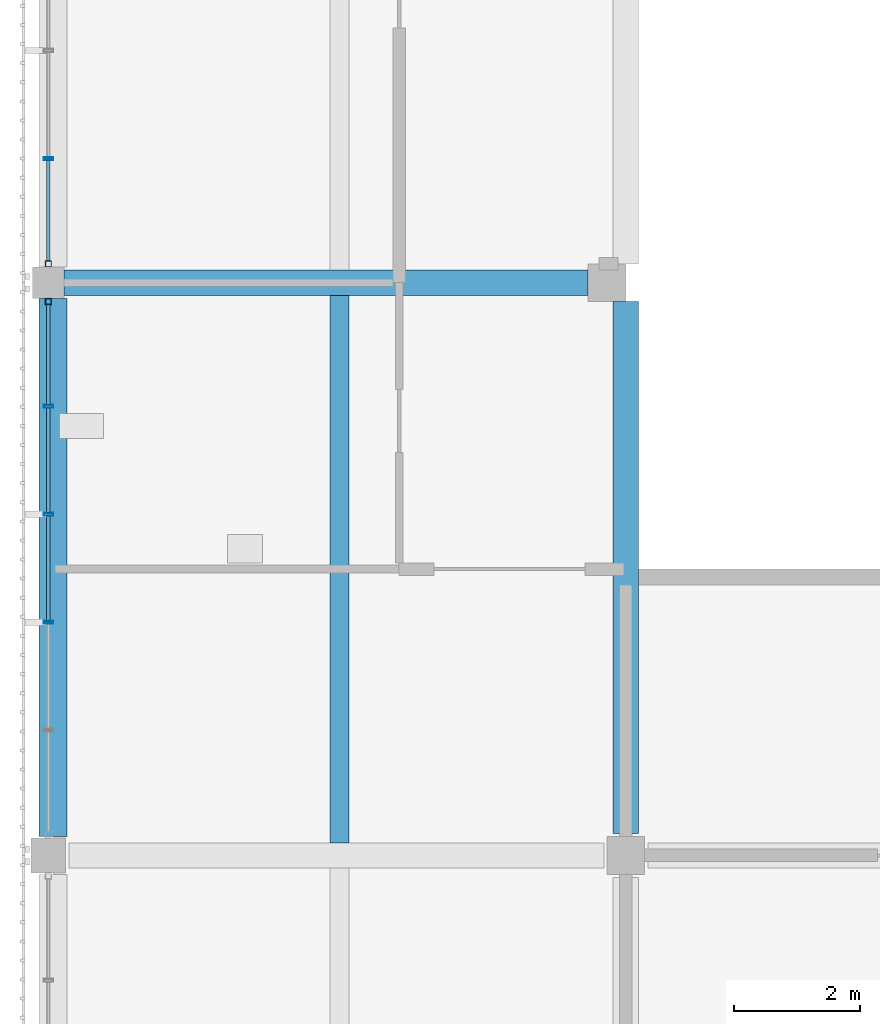
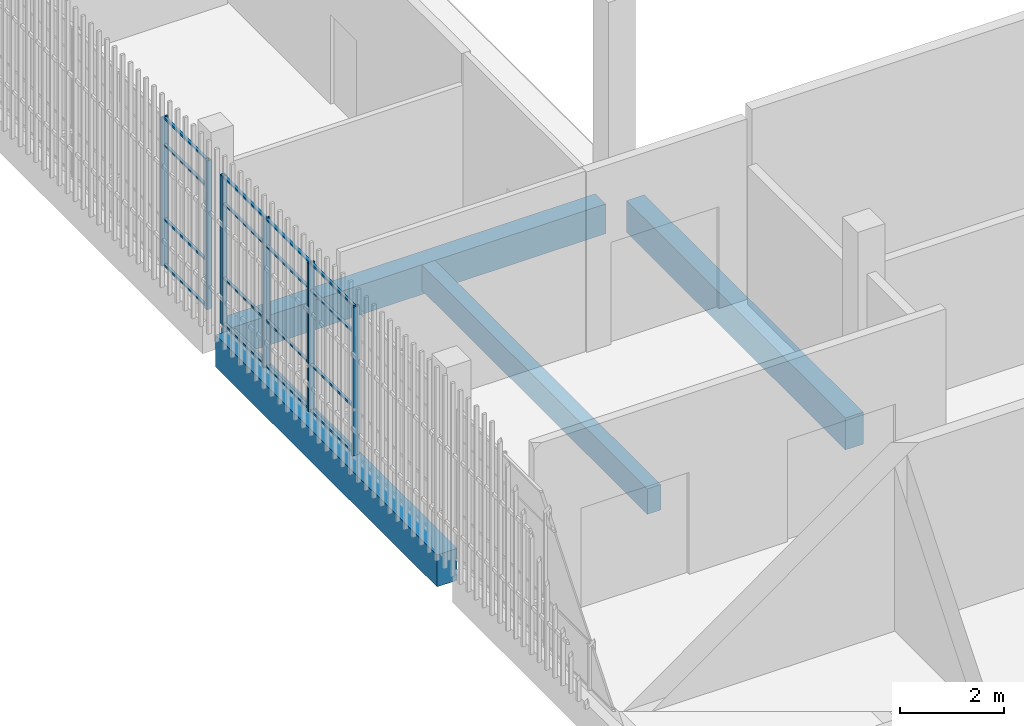
# One storey, part 16 of 124: 22 members, 4 beams, 2 elements without a shape of their own.
"""IFC4 building model written with IfcOpenShell, lengths in metres."""

import ifcopenshell
import ifcopenshell.guid

model = None  # the IFC model being written
_history = None  # IfcOwnerHistory: only IFC2X3 demands one
_inside = {}  # id of a spatial element -> (the spatial element, [elements in it])
_under = {}  # id of a project, library or spatial element -> (it, [spatial elements below it])
_declared = {}  # id of a project -> (the project, [libraries it declares])
_typed = {}  # id of a type object -> (the type object, [elements of that type])
_made_of = {}  # id of a material, layer set ... -> (it, [elements and type objects made of it])


def new_model(schema):
    """Start an empty IFC model of exactly this schema.

    Asked for "IFC4X3", IfcOpenShell would pick the latest addendum, in which some entities
    have other attributes; the version numbers below select the first issue.
    IFC2X3 requires an IfcOwnerHistory on every rooted entity: one is made here for all.
    """
    global model, _history
    if schema == "IFC4X3":
        model = ifcopenshell.file(schema_version=(4, 3, 0, 0))
    else:
        model = ifcopenshell.file(schema=schema)
    _inside.clear()
    _under.clear()
    _declared.clear()
    _typed.clear()
    _made_of.clear()
    _history = None
    if model.schema == "IFC2X3":
        org = make("IfcOrganization", Name="unknown")
        user = make(
            "IfcPersonAndOrganization",
            ThePerson=make("IfcPerson", FamilyName="unknown"),
            TheOrganization=org,
        )
        app = make(
            "IfcApplication",
            ApplicationDeveloper=org,
            Version="unknown",
            ApplicationFullName="unknown",
            ApplicationIdentifier="unknown",
        )
        _history = make(
            "IfcOwnerHistory",
            OwningUser=user,
            OwningApplication=app,
            ChangeAction="ADDED",
            CreationDate=0,
        )
    return model


def make(cls, **values):
    """One entity of the class cls with the attributes given. An attribute that is None is left unset."""
    return model.create_entity(
        cls, **{name: value for name, value in values.items() if value is not None}
    )


def rooted(cls, **values):
    """An entity with a GlobalId (a new one), such as an element, a storey or a relation."""
    return make(cls, GlobalId=ifcopenshell.guid.new(), OwnerHistory=_history, **values)


def si_unit(unit_type, name, prefix=None):
    """IfcSIUnit, for example si_unit("LENGTHUNIT", "METRE", prefix="MILLI")."""
    return make("IfcSIUnit", UnitType=unit_type, Prefix=prefix, Name=name)


def assignment(units):
    """IfcUnitAssignment: the units of a project."""
    return None if units is None else make("IfcUnitAssignment", Units=units)


def point(xyz):
    """IfcCartesianPoint."""
    return None if xyz is None else make("IfcCartesianPoint", Coordinates=xyz)


def direction(xyz):
    """IfcDirection."""
    return None if xyz is None else make("IfcDirection", DirectionRatios=xyz)


def frame(location, z_axis=None, x_axis=None):
    """IfcAxis2Placement3D, a coordinate frame: its origin and axes. An axis left out is left unset."""
    return make(
        "IfcAxis2Placement3D",
        Location=point(location),
        Axis=direction(z_axis),
        RefDirection=direction(x_axis),
    )


def frame_2d(location, x_axis=None):
    """IfcAxis2Placement2D, a coordinate frame in the plane: its origin and x axis."""
    return make(
        "IfcAxis2Placement2D", Location=point(location), RefDirection=direction(x_axis)
    )


def origin():
    """The frame at (0, 0, 0) with its axes left unset."""
    return frame((0.0, 0.0, 0.0))


def origin_2d():
    """The frame at (0, 0) in the plane with its x axis left unset."""
    return frame_2d((0.0, 0.0))


def place(relative_to, where):
    """IfcLocalPlacement: puts the frame where relative to a parent placement (None: the world)."""
    return make(
        "IfcLocalPlacement", PlacementRelTo=relative_to, RelativePlacement=where
    )


def context(
    kind, dimensions, precision=None, world=None, true_north=None, identifier=None
):
    """IfcGeometricRepresentationContext, for example the 3D "Model" context."""
    return make(
        "IfcGeometricRepresentationContext",
        ContextIdentifier=identifier,
        ContextType=kind,
        CoordinateSpaceDimension=dimensions,
        Precision=precision,
        WorldCoordinateSystem=world,
        TrueNorth=true_north,
    )


def subcontext(parent, identifier, kind, view, scale=None):
    """IfcGeometricRepresentationSubContext, for example "Body" below "Model"."""
    return make(
        "IfcGeometricRepresentationSubContext",
        ContextIdentifier=identifier,
        ContextType=kind,
        ParentContext=parent,
        TargetScale=scale,
        TargetView=view,
    )


def project(units=None, contexts=None):
    """IfcProject with its units and contexts."""
    return rooted(
        "IfcProject",
        Name="project",
        RepresentationContexts=contexts,
        UnitsInContext=assignment(units),
    )


def spatial(cls, under=None, at=None, **own):
    """A site, building, storey or space (cls), placed at a placement, below another one or the project."""
    s = rooted(cls, ObjectPlacement=at, **own)
    if under is not None:
        _under.setdefault(under.id(), (under, []))[1].append(s)
    return s


def profile(cls, at=None, kind="AREA", **sizes):
    """A parametric profile (cls). Its sizes go by their IFC names, for example OverallWidth=200.0."""
    return make(cls, ProfileType=kind, Position=at, **sizes)


def rectangle(**sizes):
    """IfcRectangleProfileDef."""
    return profile("IfcRectangleProfileDef", **sizes)


def hollow_rectangle(**sizes):
    """IfcRectangleHollowProfileDef."""
    return profile("IfcRectangleHollowProfileDef", **sizes)


def extrude(swept, where, along, depth):
    """IfcExtrudedAreaSolid: the profile swept, set in the frame where, extruded along a direction by depth."""
    return make(
        "IfcExtrudedAreaSolid",
        SweptArea=swept,
        Position=where,
        ExtrudedDirection=direction(along),
        Depth=depth,
    )


def shape(context_of_items, identifier, shape_type, items):
    """IfcShapeRepresentation: the items that make up one representation, for example the "Body"."""
    return make(
        "IfcShapeRepresentation",
        ContextOfItems=context_of_items,
        RepresentationIdentifier=identifier,
        RepresentationType=shape_type,
        Items=items,
    )


def material(Name=None, Category=None):
    """IfcMaterial."""
    return make("IfcMaterial", Name=Name, Category=Category)


def layer(
    of_material, thickness, ventilated=None, Name=None, Category=None, Priority=None
):
    """IfcMaterialLayer: one layer of a wall or slab, of a material (None: an air gap)."""
    return make(
        "IfcMaterialLayer",
        Material=of_material,
        LayerThickness=thickness,
        IsVentilated=ventilated,
        Name=Name,
        Category=Category,
        Priority=Priority,
    )


def layer_set(layers, Name=None):
    """IfcMaterialLayerSet."""
    return make("IfcMaterialLayerSet", MaterialLayers=layers, LayerSetName=Name)


def material_profile(
    of_material, cross_section, Name=None, Category=None, Priority=None
):
    """IfcMaterialProfile: a cross section and its material."""
    return make(
        "IfcMaterialProfile",
        Name=Name,
        Material=of_material,
        Profile=cross_section,
        Priority=Priority,
        Category=Category,
    )


def profile_set(profiles, Name=None, composite=None):
    """IfcMaterialProfileSet."""
    return make(
        "IfcMaterialProfileSet",
        Name=Name,
        MaterialProfiles=profiles,
        CompositeProfile=composite,
    )


def made_of(thing, what):
    """Note that an element or type object is made of a material, layer set ...; save() writes the relation."""
    if what is not None:
        _made_of.setdefault(what.id(), (what, []))[1].append(thing)
    return thing


def type_object(cls, material=None, **own):
    """A type object (cls), such as IfcWallType, which elements share."""
    return made_of(rooted(cls, **own), material)


def element(
    cls,
    number,
    at=None,
    inside=None,
    cuts=None,
    type_object=None,
    material=None,
    context=None,
    identifier="Body",
    shape_type=None,
    held_by="IfcProductDefinitionShape",
    body=None,
    shapes=None,
    **own,
):
    """One element of the class cls, such as IfcWall. Its Tag is "e" and its number.

    at: its placement. inside: the storey or other place that contains it. cuts: it is an
    opening in that element (IfcRelVoidsElement). A single representation is given by context,
    identifier, shape_type and body (its items); several are given by shapes. held_by: the class
    of the entity that holds the representations. save() writes the other relations.
    """
    e = rooted(cls, Tag="e%d" % number, ObjectPlacement=at, **own)
    if body is not None:
        shapes = [shape(context, identifier, shape_type, body)]
    if shapes is not None:
        e.Representation = make(held_by, Representations=shapes)
    if inside is not None:
        _inside.setdefault(inside.id(), (inside, []))[1].append(e)
    if cuts is not None:
        rooted(
            "IfcRelVoidsElement", RelatingBuildingElement=cuts, RelatedOpeningElement=e
        )
    if type_object is not None:
        _typed.setdefault(type_object.id(), (type_object, []))[1].append(e)
    return made_of(e, material)


def aggregate(whole, parts):
    """IfcRelAggregates: a whole, such as a stair, and the parts it consists of."""
    return rooted("IfcRelAggregates", RelatingObject=whole, RelatedObjects=parts)


def save(model, path):
    """Write the relations noted so far, then the file.

    IfcRelAggregates (storeys below a building ...), IfcRelContainedInSpatialStructure (elements
    in a storey), IfcRelDefinesByType, IfcRelAssociatesMaterial and IfcRelDeclares: one each for
    every whole, place, type object, material and project.
    """
    for whole, parts in _under.values():
        aggregate(whole, parts)
    for where, things in _inside.values():
        rooted(
            "IfcRelContainedInSpatialStructure",
            RelatedElements=things,
            RelatingStructure=where,
        )
    for kind, things in _typed.values():
        rooted("IfcRelDefinesByType", RelatedObjects=things, RelatingType=kind)
    for what, things in _made_of.values():
        rooted("IfcRelAssociatesMaterial", RelatedObjects=things, RelatingMaterial=what)
    for by, libraries in _declared.values():
        rooted("IfcRelDeclares", RelatingContext=by, RelatedDefinitions=libraries)
    model.write(path)


model = new_model("IFC4")

# Units and contexts
model_context = context("Model", 3, precision=1e-05, world=origin(), true_north=direction((0.0, 1.0)))
body_context = subcontext(model_context, "Body", "Model", "MODEL_VIEW")
ifc_project = project(units=[si_unit("LENGTHUNIT", "METRE"), si_unit("AREAUNIT", "SQUARE_METRE"), si_unit("VOLUMEUNIT", "CUBIC_METRE"), si_unit("PLANEANGLEUNIT", "RADIAN"), si_unit("MASSUNIT", "GRAM", prefix="KILO")], contexts=[model_context])

# Site, building, storey
site_placement = place(None, origin())
site = spatial("IfcSite", under=ifc_project, at=site_placement, CompositionType="ELEMENT")
building_placement = place(site_placement, origin())
building = spatial("IfcBuilding", under=site, at=building_placement, Name="Shirokan Park Arena", CompositionType="ELEMENT")
storey_placement = place(building_placement, frame((0.0, 0.0, 20.02001953125)))
storey = spatial("IfcBuildingStorey", under=building, at=storey_placement, Name="L04", CompositionType="ELEMENT", Elevation=20.02001953125)

# Curtain wall, member
ifc_material_1 = material(Name="Steel and glass curtain wall", Category="steel")
ifc_layer = layer(ifc_material_1, 0.14990234375)
ifc_layer_set = layer_set([ifc_layer], Name="Steel and glass curtain wall 150 mm")
curtain_wall_type = type_object("IfcCurtainWallType", Name="Curtain wall exposed bay 150", PredefinedType="NOTDEFINED", material=ifc_layer_set)
curtain_wall_1_placement = place(storey_placement, origin())
curtain_wall_1 = element("IfcCurtainWall", 1, at=curtain_wall_1_placement, inside=storey, type_object=curtain_wall_type, Name="Curtain wall west bay 7 L04", PredefinedType="NOTDEFINED")
ifc_material_2 = material(Name="Steel S355", Category="steel")
ifc_material_profile_1 = material_profile(ifc_material_2, hollow_rectangle(XDim=0.10009765625, YDim=0.10009765625, WallThickness=0.006103515625, at=origin_2d()), Name="RHS 100x100x6")
ifc_profile_set_1 = profile_set([ifc_material_profile_1], Name="Steel S355")
member_type_1 = type_object("IfcMemberType", Name="Mullion RHS 100x100x6", PredefinedType="MULLION", material=ifc_profile_set_1)
member_1_placement = place(storey_placement, frame((-0.074951171875, 45.800048828125, 0.0), z_axis=(0.0, 0.0, 1.0), x_axis=(1.0, 0.0, 0.0)))
member_1 = element("IfcMember", 2, at=member_1_placement, type_object=member_type_1, Name="CW1 mullion 6", PredefinedType="MULLION", context=body_context, shape_type="SweptSolid", body=[
    extrude(hollow_rectangle(XDim=0.10009765625, YDim=0.10009765625, WallThickness=0.006103515625, at=origin_2d()), origin(), (0.0, 0.0, 1.0), 3.5),
])

curtain_wall_2_placement = place(storey_placement, origin())
curtain_wall_2 = element("IfcCurtainWall", 3, at=curtain_wall_2_placement, inside=storey, type_object=curtain_wall_type, Name="Curtain wall west bay 8 L04", PredefinedType="NOTDEFINED")
member_2_placement = place(storey_placement, frame((-0.074951171875, 45.199951171875, 0.0), z_axis=(0.0, 0.0, 1.0), x_axis=(1.0, 0.0, 0.0)))
member_2 = element("IfcMember", 4, at=member_2_placement, type_object=member_type_1, Name="CW1 mullion 1", PredefinedType="MULLION", context=body_context, shape_type="SweptSolid", body=[
    extrude(hollow_rectangle(XDim=0.10009765625, YDim=0.10009765625, WallThickness=0.006103515625, at=origin_2d()), origin(), (0.0, 0.0, 1.0), 3.5),
])

# Member
ifc_material_profile_2 = material_profile(ifc_material_2, hollow_rectangle(XDim=0.14990234375, YDim=0.050048828125, WallThickness=0.006103515625, at=origin_2d()), Name="RHS 150x50x6")
ifc_profile_set_2 = profile_set([ifc_material_profile_2], Name="Steel S355")
member_type_2 = type_object("IfcMemberType", Name="Mullion RHS 150x50x6", PredefinedType="MULLION", material=ifc_profile_set_2)
member_3_placement = place(storey_placement, frame((-0.074951171875, 47.469970703125, 0.0), z_axis=(0.0, 0.0, 1.0), x_axis=(1.0, 0.0, 0.0)))
member_3 = element("IfcMember", 5, at=member_3_placement, type_object=member_type_2, Name="CW1 mullion 5", PredefinedType="MULLION", context=body_context, shape_type="SweptSolid", body=[
    extrude(hollow_rectangle(XDim=0.14990234375, YDim=0.050048828125, WallThickness=0.006103515625, at=origin_2d()), origin(), (0.0, 0.0, 1.0), 3.5),
])

member_4_placement = place(storey_placement, frame((-0.074951171875, 43.534912109375, 0.0), z_axis=(0.0, 0.0, 1.0), x_axis=(1.0, 0.0, 0.0)))
member_4 = element("IfcMember", 6, at=member_4_placement, type_object=member_type_2, Name="CW1 mullion 2", PredefinedType="MULLION", context=body_context, shape_type="SweptSolid", body=[
    extrude(hollow_rectangle(XDim=0.14990234375, YDim=0.050048828125, WallThickness=0.006103515625, at=origin_2d()), origin(), (0.0, 0.0, 1.0), 3.5),
])

member_5_placement = place(storey_placement, frame((-0.074951171875, 41.820068359375, 0.0), z_axis=(0.0, 0.0, 1.0), x_axis=(1.0, 0.0, 0.0)))
member_5 = element("IfcMember", 7, at=member_5_placement, type_object=member_type_2, Name="CW1 mullion 3", PredefinedType="MULLION", context=body_context, shape_type="SweptSolid", body=[
    extrude(hollow_rectangle(XDim=0.14990234375, YDim=0.050048828125, WallThickness=0.006103515625, at=origin_2d()), origin(), (0.0, 0.0, 1.0), 3.5),
])

member_6_placement = place(storey_placement, frame((-0.074951171875, 40.10498046875, 0.0), z_axis=(0.0, 0.0, 1.0), x_axis=(1.0, 0.0, 0.0)))
member_6 = element("IfcMember", 8, at=member_6_placement, type_object=member_type_2, Name="CW1 mullion 4", PredefinedType="MULLION", context=body_context, shape_type="SweptSolid", body=[
    extrude(hollow_rectangle(XDim=0.14990234375, YDim=0.050048828125, WallThickness=0.006103515625, at=origin_2d()), origin(), (0.0, 0.0, 1.0), 3.5),
])

# Beams
ifc_material_3 = material(Name="Concrete C35", Category="concrete")
ifc_material_profile_3 = material_profile(ifc_material_3, rectangle(XDim=0.39990234375, YDim=0.699951171875, at=origin_2d()), Name="400x700")
ifc_profile_set_3 = profile_set([ifc_material_profile_3], Name="Concrete C35")
beam_type_1 = type_object("IfcBeamType", Name="RC girder 400x700", PredefinedType="BEAM", material=ifc_profile_set_3)
beam_1_placement = place(storey_placement, frame((0.175048828125, 45.5, -0.60009765625), z_axis=(1.0, 0.0, 0.0), x_axis=(0.0, 1.0, 0.0)))
element("IfcBeam", 9, at=beam_1_placement, inside=storey, type_object=beam_type_1, Name="Girder 1F-2F L04", PredefinedType="BEAM", context=body_context, shape_type="SweptSolid", body=[
    extrude(rectangle(XDim=0.39990234375, YDim=0.699951171875, at=origin_2d()), origin(), (0.0, 0.0, 1.0), 8.324951171875),
])
ifc_material_profile_4 = material_profile(ifc_material_3, rectangle(XDim=0.39990234375, YDim=0.75, at=origin_2d()), Name="400x750")
ifc_profile_set_4 = profile_set([ifc_material_profile_4], Name="Concrete C35")
beam_type_2 = type_object("IfcBeamType", Name="RC girder 400x750", PredefinedType="BEAM", material=ifc_profile_set_4)
beam_2_placement = place(storey_placement, frame((9.10009765625, 36.75, -0.625), z_axis=(0.0, 1.0, 0.0), x_axis=(-1.0, 0.0, 0.0)))
element("IfcBeam", 10, at=beam_2_placement, inside=storey, type_object=beam_type_2, Name="Girder 2E-2F L04", PredefinedType="BEAM", context=body_context, shape_type="SweptSolid", body=[
    extrude(rectangle(XDim=0.39990234375, YDim=0.75, at=origin_2d()), origin(), (0.0, 0.0, 1.0), 8.449951171875),
])
ifc_material_profile_5 = material_profile(ifc_material_3, rectangle(XDim=0.449951171875, YDim=0.75, at=origin_2d()), Name="450x750")
ifc_profile_set_5 = profile_set([ifc_material_profile_5], Name="Concrete C35")
beam_type_3 = type_object("IfcBeamType", Name="RC girder 450x750", PredefinedType="BEAM", material=ifc_profile_set_5)
beam_3_placement = place(storey_placement, frame((0.0, 36.7001953125, -0.625), z_axis=(0.0, 1.0, 0.0), x_axis=(-1.0, 0.0, 0.0)))
element("IfcBeam", 11, at=beam_3_placement, inside=storey, type_object=beam_type_3, Name="Girder 1E-1F L04", PredefinedType="BEAM", context=body_context, shape_type="SweptSolid", body=[
    extrude(rectangle(XDim=0.449951171875, YDim=0.75, at=origin_2d()), origin(), (0.0, 0.0, 1.0), 8.5498046875),
])
ifc_material_profile_6 = material_profile(ifc_material_3, rectangle(XDim=0.300048828125, YDim=0.60009765625, at=origin_2d()), Name="300x600")
ifc_profile_set_6 = profile_set([ifc_material_profile_6], Name="Concrete C35")
beam_type_4 = type_object("IfcBeamType", Name="RC joist 300x600", PredefinedType="JOIST", material=ifc_profile_set_6)
beam_4_placement = place(storey_placement, frame((4.550048828125, 36.60009765625, -0.550048828125), z_axis=(0.0, 1.0, 0.0), x_axis=(-1.0, 0.0, 0.0)))
element("IfcBeam", 12, at=beam_4_placement, inside=storey, type_object=beam_type_4, Name="Joist 1E L04", PredefinedType="JOIST", context=body_context, shape_type="SweptSolid", body=[
    extrude(rectangle(XDim=0.300048828125, YDim=0.60009765625, at=origin_2d()), origin(), (0.0, 0.0, 1.0), 8.699951171875),
])

# Member
ifc_material_profile_7 = material_profile(ifc_material_2, hollow_rectangle(XDim=0.06005859375, YDim=0.0400390625, WallThickness=0.00390625, at=origin_2d()), Name="RHS 60x40x4")
ifc_profile_set_7 = profile_set([ifc_material_profile_7], Name="Steel S355")
member_type_3 = type_object("IfcMemberType", Name="Transom RHS 60x40x4", PredefinedType="MULLION", material=ifc_profile_set_7)
member_7_placement = place(storey_placement, frame((-0.074951171875, 47.445068359375, 0.02001953125), z_axis=(0.0, -1.0, 0.0), x_axis=(1.0, 0.0, 0.0)))
member_7 = element("IfcMember", 13, at=member_7_placement, type_object=member_type_3, Name="CW1 transom 5.1", PredefinedType="MULLION", context=body_context, shape_type="SweptSolid", body=[
    extrude(hollow_rectangle(XDim=0.06005859375, YDim=0.0400390625, WallThickness=0.00390625, at=origin_2d()), origin(), (0.0, 0.0, 1.0), 1.594970703125),
])

member_8_placement = place(storey_placement, frame((-0.074951171875, 47.445068359375, 1.10009765625), z_axis=(0.0, -1.0, 0.0), x_axis=(1.0, 0.0, 0.0)))
member_8 = element("IfcMember", 14, at=member_8_placement, type_object=member_type_3, Name="CW1 transom 5.2", PredefinedType="MULLION", context=body_context, shape_type="SweptSolid", body=[
    extrude(hollow_rectangle(XDim=0.06005859375, YDim=0.0400390625, WallThickness=0.00390625, at=origin_2d()), origin(), (0.0, 0.0, 1.0), 1.594970703125),
])

member_9_placement = place(storey_placement, frame((-0.074951171875, 47.445068359375, 2.85009765625), z_axis=(0.0, -1.0, 0.0), x_axis=(1.0, 0.0, 0.0)))
member_9 = element("IfcMember", 15, at=member_9_placement, type_object=member_type_3, Name="CW1 transom 5.3", PredefinedType="MULLION", context=body_context, shape_type="SweptSolid", body=[
    extrude(hollow_rectangle(XDim=0.06005859375, YDim=0.0400390625, WallThickness=0.00390625, at=origin_2d()), origin(), (0.0, 0.0, 1.0), 1.594970703125),
])

member_10_placement = place(storey_placement, frame((-0.074951171875, 47.445068359375, 3.47998046875), z_axis=(0.0, -1.0, 0.0), x_axis=(1.0, 0.0, 0.0)))
member_10 = element("IfcMember", 16, at=member_10_placement, type_object=member_type_3, Name="CW1 transom 5.4", PredefinedType="MULLION", context=body_context, shape_type="SweptSolid", body=[
    extrude(hollow_rectangle(XDim=0.06005859375, YDim=0.0400390625, WallThickness=0.00390625, at=origin_2d()), origin(), (0.0, 0.0, 1.0), 1.594970703125),
])

aggregate(curtain_wall_1, [member_3, member_1, member_7, member_8, member_9, member_10])

member_11_placement = place(storey_placement, frame((-0.074951171875, 45.14990234375, 0.02001953125), z_axis=(0.0, -1.0, 0.0), x_axis=(1.0, 0.0, 0.0)))
member_11 = element("IfcMember", 17, at=member_11_placement, type_object=member_type_3, Name="CW1 transom 1.1", PredefinedType="MULLION", context=body_context, shape_type="SweptSolid", body=[
    extrude(hollow_rectangle(XDim=0.06005859375, YDim=0.0400390625, WallThickness=0.00390625, at=origin_2d()), origin(), (0.0, 0.0, 1.0), 1.58984375),
])

member_12_placement = place(storey_placement, frame((-0.074951171875, 45.14990234375, 1.10009765625), z_axis=(0.0, -1.0, 0.0), x_axis=(1.0, 0.0, 0.0)))
member_12 = element("IfcMember", 18, at=member_12_placement, type_object=member_type_3, Name="CW1 transom 1.2", PredefinedType="MULLION", context=body_context, shape_type="SweptSolid", body=[
    extrude(hollow_rectangle(XDim=0.06005859375, YDim=0.0400390625, WallThickness=0.00390625, at=origin_2d()), origin(), (0.0, 0.0, 1.0), 1.58984375),
])

member_13_placement = place(storey_placement, frame((-0.074951171875, 45.14990234375, 2.85009765625), z_axis=(0.0, -1.0, 0.0), x_axis=(1.0, 0.0, 0.0)))
member_13 = element("IfcMember", 19, at=member_13_placement, type_object=member_type_3, Name="CW1 transom 1.3", PredefinedType="MULLION", context=body_context, shape_type="SweptSolid", body=[
    extrude(hollow_rectangle(XDim=0.06005859375, YDim=0.0400390625, WallThickness=0.00390625, at=origin_2d()), origin(), (0.0, 0.0, 1.0), 1.58984375),
])

member_14_placement = place(storey_placement, frame((-0.074951171875, 45.14990234375, 3.47998046875), z_axis=(0.0, -1.0, 0.0), x_axis=(1.0, 0.0, 0.0)))
member_14 = element("IfcMember", 20, at=member_14_placement, type_object=member_type_3, Name="CW1 transom 1.4", PredefinedType="MULLION", context=body_context, shape_type="SweptSolid", body=[
    extrude(hollow_rectangle(XDim=0.06005859375, YDim=0.0400390625, WallThickness=0.00390625, at=origin_2d()), origin(), (0.0, 0.0, 1.0), 1.58984375),
])

member_15_placement = place(storey_placement, frame((-0.074951171875, 43.510009765625, 0.02001953125), z_axis=(0.0, -1.0, 0.0), x_axis=(1.0, 0.0, 0.0)))
member_15 = element("IfcMember", 21, at=member_15_placement, type_object=member_type_3, Name="CW1 transom 2.1", PredefinedType="MULLION", context=body_context, shape_type="SweptSolid", body=[
    extrude(hollow_rectangle(XDim=0.06005859375, YDim=0.0400390625, WallThickness=0.00390625, at=origin_2d()), origin(), (0.0, 0.0, 1.0), 1.6650390625),
])

member_16_placement = place(storey_placement, frame((-0.074951171875, 43.510009765625, 1.10009765625), z_axis=(0.0, -1.0, 0.0), x_axis=(1.0, 0.0, 0.0)))
member_16 = element("IfcMember", 22, at=member_16_placement, type_object=member_type_3, Name="CW1 transom 2.2", PredefinedType="MULLION", context=body_context, shape_type="SweptSolid", body=[
    extrude(hollow_rectangle(XDim=0.06005859375, YDim=0.0400390625, WallThickness=0.00390625, at=origin_2d()), origin(), (0.0, 0.0, 1.0), 1.6650390625),
])

member_17_placement = place(storey_placement, frame((-0.074951171875, 43.510009765625, 2.85009765625), z_axis=(0.0, -1.0, 0.0), x_axis=(1.0, 0.0, 0.0)))
member_17 = element("IfcMember", 23, at=member_17_placement, type_object=member_type_3, Name="CW1 transom 2.3", PredefinedType="MULLION", context=body_context, shape_type="SweptSolid", body=[
    extrude(hollow_rectangle(XDim=0.06005859375, YDim=0.0400390625, WallThickness=0.00390625, at=origin_2d()), origin(), (0.0, 0.0, 1.0), 1.6650390625),
])

member_18_placement = place(storey_placement, frame((-0.074951171875, 43.510009765625, 3.47998046875), z_axis=(0.0, -1.0, 0.0), x_axis=(1.0, 0.0, 0.0)))
member_18 = element("IfcMember", 24, at=member_18_placement, type_object=member_type_3, Name="CW1 transom 2.4", PredefinedType="MULLION", context=body_context, shape_type="SweptSolid", body=[
    extrude(hollow_rectangle(XDim=0.06005859375, YDim=0.0400390625, WallThickness=0.00390625, at=origin_2d()), origin(), (0.0, 0.0, 1.0), 1.6650390625),
])

member_19_placement = place(storey_placement, frame((-0.074951171875, 41.794921875, 0.02001953125), z_axis=(0.0, -1.0, 0.0), x_axis=(1.0, 0.0, 0.0)))
member_19 = element("IfcMember", 25, at=member_19_placement, type_object=member_type_3, Name="CW1 transom 3.1", PredefinedType="MULLION", context=body_context, shape_type="SweptSolid", body=[
    extrude(hollow_rectangle(XDim=0.06005859375, YDim=0.0400390625, WallThickness=0.00390625, at=origin_2d()), origin(), (0.0, 0.0, 1.0), 1.6650390625),
])

member_20_placement = place(storey_placement, frame((-0.074951171875, 41.794921875, 1.10009765625), z_axis=(0.0, -1.0, 0.0), x_axis=(1.0, 0.0, 0.0)))
member_20 = element("IfcMember", 26, at=member_20_placement, type_object=member_type_3, Name="CW1 transom 3.2", PredefinedType="MULLION", context=body_context, shape_type="SweptSolid", body=[
    extrude(hollow_rectangle(XDim=0.06005859375, YDim=0.0400390625, WallThickness=0.00390625, at=origin_2d()), origin(), (0.0, 0.0, 1.0), 1.6650390625),
])

member_21_placement = place(storey_placement, frame((-0.074951171875, 41.794921875, 2.85009765625), z_axis=(0.0, -1.0, 0.0), x_axis=(1.0, 0.0, 0.0)))
member_21 = element("IfcMember", 27, at=member_21_placement, type_object=member_type_3, Name="CW1 transom 3.3", PredefinedType="MULLION", context=body_context, shape_type="SweptSolid", body=[
    extrude(hollow_rectangle(XDim=0.06005859375, YDim=0.0400390625, WallThickness=0.00390625, at=origin_2d()), origin(), (0.0, 0.0, 1.0), 1.6650390625),
])

member_22_placement = place(storey_placement, frame((-0.074951171875, 41.794921875, 3.47998046875), z_axis=(0.0, -1.0, 0.0), x_axis=(1.0, 0.0, 0.0)))
member_22 = element("IfcMember", 28, at=member_22_placement, type_object=member_type_3, Name="CW1 transom 3.4", PredefinedType="MULLION", context=body_context, shape_type="SweptSolid", body=[
    extrude(hollow_rectangle(XDim=0.06005859375, YDim=0.0400390625, WallThickness=0.00390625, at=origin_2d()), origin(), (0.0, 0.0, 1.0), 1.6650390625),
])

aggregate(curtain_wall_2, [member_2, member_4, member_5, member_6, member_11, member_12, member_13, member_14, member_15, member_16, member_17, member_18, member_19, member_20, member_21, member_22])

save(model, "model.ifc")
